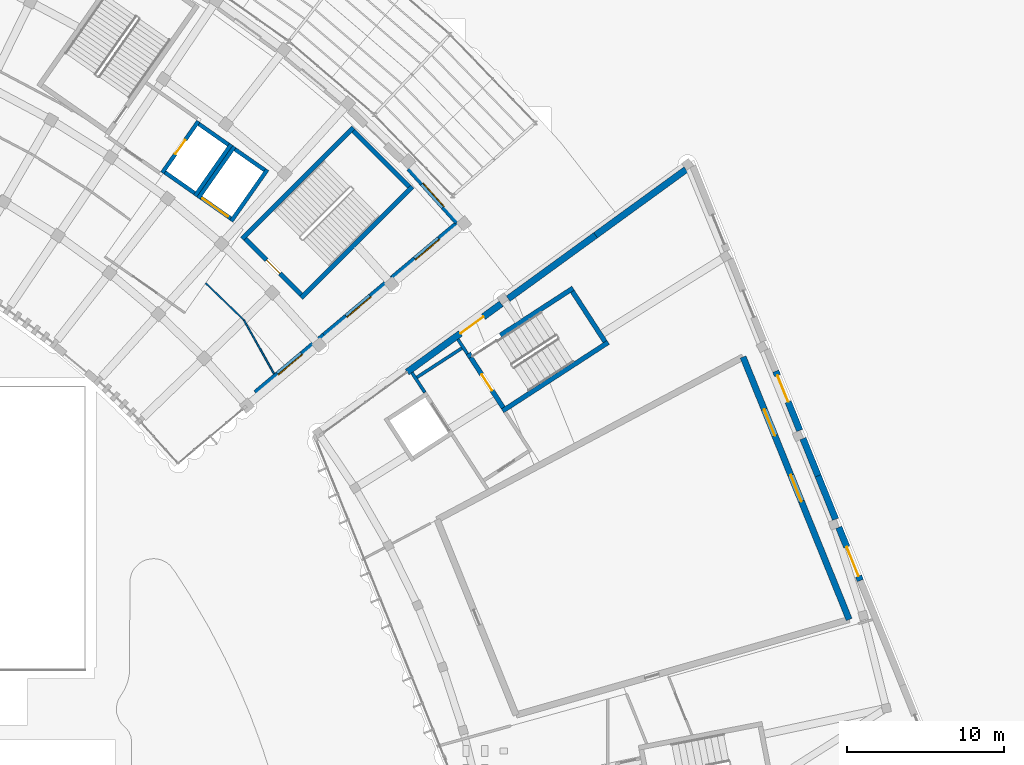
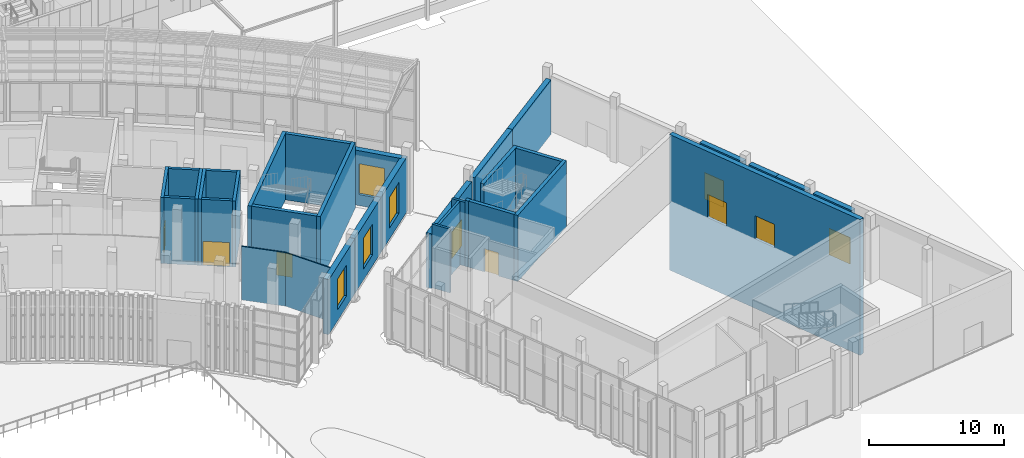
# One storey, part 100 of 155: 34 walls, 9 doors, 4 windows, 13 openings.
"""IFC4 building model written with IfcOpenShell, lengths in metres."""

from ifc_helpers import new_model, si_unit, direction, frame, frame_2d, origin, place, context, subcontext, project, spatial, rectangle, extrude, material, layer, layer_set, type_object, element, fill, save


model = new_model("IFC4")

# Units and contexts
model_context = context("Model", 3, precision=1e-05, world=origin(), true_north=direction((0.0, 1.0)))
body_context = subcontext(model_context, "Body", "Model", "MODEL_VIEW")
ifc_project = project(units=[si_unit("LENGTHUNIT", "METRE"), si_unit("AREAUNIT", "SQUARE_METRE"), si_unit("VOLUMEUNIT", "CUBIC_METRE"), si_unit("PLANEANGLEUNIT", "RADIAN"), si_unit("MASSUNIT", "GRAM", prefix="KILO")], contexts=[model_context])

# Site, building, storey
site_placement = place(None, origin())
site = spatial("IfcSite", under=ifc_project, at=site_placement, CompositionType="ELEMENT")
building_placement = place(site_placement, origin())
building = spatial("IfcBuilding", under=site, at=building_placement, Name="Lunette Opera House", CompositionType="ELEMENT")
storey_placement = place(building_placement, origin())
storey = spatial("IfcBuildingStorey", under=building, at=storey_placement, Name="L00", CompositionType="ELEMENT", Elevation=0.0)

# Wall, opening, window
ifc_material_1 = material(Name="Clinker brick", Category="masonry")
ifc_layer_1 = layer(ifc_material_1, 0.449951171875)
ifc_layer_set_1 = layer_set([ifc_layer_1], Name="Clinker brick")
wall_type_1 = type_object("IfcWallType", Name="ARM END WALL 450", PredefinedType="SOLIDWALL", material=ifc_layer_set_1)
wall_1_placement = place(storey_placement, frame((141.012939453125, 38.06494140625, 0.0), z_axis=(0.0, 0.0, 1.0), x_axis=(0.766076229388, 0.642749726384, 0.0)))
wall_1 = element("IfcWall", 1, at=wall_1_placement, inside=storey, type_object=wall_type_1, Name="Arm End Wall 450 EN-E1 L00", PredefinedType="SOLIDWALL", context=body_context, shape_type="SweptSolid", body=[
    extrude(rectangle(XDim=5.68359375, YDim=0.449951171875, at=frame_2d((2.841796875, 0.0))), origin(), (0.0, 0.0, 1.0), 4.97998046875),
])
opening_1_placement = place(wall_1_placement, frame((1.842041015625, 0.0, 1.0)))
opening_1 = element("IfcOpeningElement", 2, at=opening_1_placement, cuts=wall_1, Name="Opening FC-N2092", PredefinedType="OPENING", context=body_context, shape_type="SweptSolid", body=[
    extrude(rectangle(XDim=2.0, YDim=2.800048828125, at=frame_2d((1.0, 1.39990234375))), frame((0.0, 0.237060546875, 0.0), z_axis=(0.0, -1.0, 0.0), x_axis=(1.0, 0.0, 0.0)), (0.0, 0.0, 1.0), 0.473876953125),
])
ifc_material_2 = material(Name="Aluminium", Category="aluminium")
window_type = type_object("IfcWindowType", Name="ARM WINDOW 2000 X 2800", PartitioningType="DOUBLE_PANEL_VERTICAL", PredefinedType="WINDOW", material=ifc_material_2)
window_1_placement = place(opening_1_placement, origin())
window_1 = element("IfcWindow", 3, at=window_1_placement, inside=storey, type_object=window_type, Name="Arm Window 2000 X 2800 EN-E1 L00", OverallHeight=2.800048828125, OverallWidth=2.0, PartitioningType="DOUBLE_PANEL_VERTICAL", PredefinedType="WINDOW", context=body_context, shape_type="SweptSolid", body=[
    extrude(rectangle(XDim=2.0, YDim=2.800048828125, at=frame_2d((1.0, 1.39990234375))), frame((0.0, 0.030029296875, 0.0), z_axis=(0.0, -1.0, 0.0), x_axis=(1.0, 0.0, 0.0)), (0.0, 0.0, 1.0), 0.06005859375),
])
fill(opening_1, window_1)

wall_2_placement = place(storey_placement, frame((145.366943359375, 41.718017578125, 0.0), z_axis=(0.0, 0.0, 1.0), x_axis=(0.766076229388, 0.642749726384, 0.0)))
wall_2 = element("IfcWall", 4, at=wall_2_placement, inside=storey, type_object=wall_type_1, Name="Arm End Wall 450 EN-E2 L00", PredefinedType="SOLIDWALL", context=body_context, shape_type="SweptSolid", body=[
    extrude(rectangle(XDim=5.68359375, YDim=0.449951171875, at=frame_2d((2.841796875, 0.0))), origin(), (0.0, 0.0, 1.0), 4.97998046875),
])
opening_2_placement = place(wall_2_placement, frame((1.842041015625, 0.0, 1.0)))
opening_2 = element("IfcOpeningElement", 5, at=opening_2_placement, cuts=wall_2, Name="Opening FC-N2093", PredefinedType="OPENING", context=body_context, shape_type="SweptSolid", body=[
    extrude(rectangle(XDim=2.0, YDim=2.800048828125, at=frame_2d((1.0, 1.39990234375))), frame((0.0, 0.237060546875, 0.0), z_axis=(0.0, -1.0, 0.0), x_axis=(1.0, 0.0, 0.0)), (0.0, 0.0, 1.0), 0.473876953125),
])
window_2_placement = place(opening_2_placement, origin())
window_2 = element("IfcWindow", 6, at=window_2_placement, inside=storey, type_object=window_type, Name="Arm Window 2000 X 2800 EN-E2 L00", OverallHeight=2.800048828125, OverallWidth=2.0, PartitioningType="DOUBLE_PANEL_VERTICAL", PredefinedType="WINDOW", context=body_context, shape_type="SweptSolid", body=[
    extrude(rectangle(XDim=2.0, YDim=2.800048828125, at=frame_2d((1.0, 1.39990234375))), frame((0.0, 0.030029296875, 0.0), z_axis=(0.0, -1.0, 0.0), x_axis=(1.0, 0.0, 0.0)), (0.0, 0.0, 1.0), 0.06005859375),
])
fill(opening_2, window_2)

wall_3_placement = place(storey_placement, frame((149.720947265625, 45.37109375, 0.0), z_axis=(0.0, 0.0, 1.0), x_axis=(0.766097380859, 0.642724515668, 0.0)))
wall_3 = element("IfcWall", 7, at=wall_3_placement, inside=storey, type_object=wall_type_1, Name="Arm End Wall 450 EN-E3 L00", PredefinedType="SOLIDWALL", context=body_context, shape_type="SweptSolid", body=[
    extrude(rectangle(XDim=5.683349609375, YDim=0.449951171875, at=frame_2d((2.841796875, 0.0))), origin(), (0.0, 0.0, 1.0), 4.97998046875),
])
opening_3_placement = place(wall_3_placement, frame((1.842041015625, 0.0, 1.0)))
opening_3 = element("IfcOpeningElement", 8, at=opening_3_placement, cuts=wall_3, Name="Opening FC-N2094", PredefinedType="OPENING", context=body_context, shape_type="SweptSolid", body=[
    extrude(rectangle(XDim=2.0, YDim=2.800048828125, at=frame_2d((1.0, 1.39990234375))), frame((0.0, 0.237060546875, 0.0), z_axis=(0.0, -1.0, 0.0), x_axis=(1.0, 0.0, 0.0)), (0.0, 0.0, 1.0), 0.473876953125),
])
window_3_placement = place(opening_3_placement, origin())
window_3 = element("IfcWindow", 9, at=window_3_placement, inside=storey, type_object=window_type, Name="Arm Window 2000 X 2800 EN-E3 L00", OverallHeight=2.800048828125, OverallWidth=2.0, PartitioningType="DOUBLE_PANEL_VERTICAL", PredefinedType="WINDOW", context=body_context, shape_type="SweptSolid", body=[
    extrude(rectangle(XDim=2.0, YDim=2.800048828125, at=frame_2d((1.0, 1.39990234375))), frame((0.0, 0.030029296875, 0.0), z_axis=(0.0, -1.0, 0.0), x_axis=(1.0, 0.0, 0.0)), (0.0, 0.0, 1.0), 0.06005859375),
])
fill(opening_3, window_3)

ifc_material_3 = material(Name="Clinker brick", Category="masonry")
ifc_layer_2 = layer(ifc_material_3, 0.449951171875)
ifc_layer_set_2 = layer_set([ifc_layer_2], Name="Clinker brick")
wall_type_2 = type_object("IfcWallType", Name="ARM RAIN SCREEN WALL 450", PredefinedType="SOLIDWALL", material=ifc_layer_set_2)
wall_4_placement = place(storey_placement, frame((150.741943359375, 52.3779296875, 0.0), z_axis=(0.0, 0.0, 1.0), x_axis=(0.669114598818, -0.74315923842, 0.0)))
wall_4 = element("IfcWall", 10, at=wall_4_placement, inside=storey, type_object=wall_type_2, Name="Arm Rain Screen Wall 450 BW-CE08 L00", PredefinedType="SOLIDWALL", context=body_context, shape_type="SweptSolid", body=[
    extrude(rectangle(XDim=4.589599609375, YDim=0.449951171875, at=frame_2d((2.294921875, 0.0))), origin(), (0.0, 0.0, 1.0), 4.97998046875),
])
opening_4_placement = place(wall_4_placement, frame((1.294921875, 0.0, 1.0)))
opening_4 = element("IfcOpeningElement", 11, at=opening_4_placement, cuts=wall_4, Name="Opening FC-N2172", PredefinedType="OPENING", context=body_context, shape_type="SweptSolid", body=[
    extrude(rectangle(XDim=2.0, YDim=2.800048828125, at=frame_2d((1.0, 1.39990234375))), frame((0.0, 0.237060546875, 0.0), z_axis=(0.0, -1.0, 0.0), x_axis=(1.0, 0.0, 0.0)), (0.0, 0.0, 1.0), 0.473876953125),
])
window_4_placement = place(opening_4_placement, origin())
window_4 = element("IfcWindow", 12, at=window_4_placement, inside=storey, type_object=window_type, Name="Arm Window 2000 X 2800 BW-CE08 L00", OverallHeight=2.800048828125, OverallWidth=2.0, PartitioningType="DOUBLE_PANEL_VERTICAL", PredefinedType="WINDOW", context=body_context, shape_type="SweptSolid", body=[
    extrude(rectangle(XDim=2.0, YDim=2.800048828125, at=frame_2d((1.0, 1.39990234375))), frame((0.0, 0.030029296875, 0.0), z_axis=(0.0, -1.0, 0.0), x_axis=(1.0, 0.0, 0.0)), (0.0, 0.0, 1.0), 0.06005859375),
])
fill(opening_4, window_4)

# Walls
ifc_material_4 = material(Name="Concrete C35/45", Category="concrete")
ifc_layer_3 = layer(ifc_material_4, 0.199951171875)
ifc_layer_set_3 = layer_set([ifc_layer_3], Name="Concrete C35/45")
wall_type_3 = type_object("IfcWallType", Name="LOBBY WALL 200", PredefinedType="PARTITIONING", material=ifc_layer_set_3)
wall_5_placement = place(storey_placement, frame((150.906982421875, 39.385986328125, 0.0), z_axis=(0.0, 0.0, 1.0), x_axis=(0.54445901867, -0.838787444463, 0.0)))
element("IfcWall", 13, at=wall_5_placement, inside=storey, type_object=wall_type_3, Name="LL-ST lobby wall 1a", PredefinedType="PARTITIONING", context=body_context, shape_type="SweptSolid", body=[
    extrude(rectangle(XDim=1.508056640625, YDim=0.199951171875, at=frame_2d((0.75390625, 0.0))), origin(), (0.0, 0.0, 1.0), 5.780029296875),
])
wall_6_placement = place(storey_placement, frame((154.43798828125, 40.56103515625, 0.0), z_axis=(0.0, 0.0, 1.0), x_axis=(-0.545308400226, 0.838235497127, 0.0)))
element("IfcWall", 14, at=wall_6_placement, inside=storey, type_object=wall_type_3, Name="LL-ST lobby wall 3b", PredefinedType="PARTITIONING", context=body_context, shape_type="SweptSolid", body=[
    extrude(rectangle(XDim=1.1259765625, YDim=0.199951171875, at=frame_2d((0.56298828125, 0.0))), origin(), (0.0, 0.0, 1.0), 5.780029296875),
])
wall_7_placement = place(storey_placement, frame((154.075927734375, 40.93408203125, 0.0), z_axis=(0.0, 0.0, 1.0), x_axis=(-0.838661716351, -0.544652665032, 0.0)))
element("IfcWall", 15, at=wall_7_placement, inside=storey, type_object=wall_type_3, Name="LL-ST lobby wall 4a", PredefinedType="PARTITIONING", context=body_context, shape_type="SweptSolid", body=[
    extrude(rectangle(XDim=3.400390625, YDim=0.199951171875, at=frame_2d((1.7001953125, 0.0))), origin(), (0.0, 0.0, 1.0), 5.780029296875),
])
ifc_material_5 = material(Name="Concrete C35/45", Category="concrete")
ifc_layer_4 = layer(ifc_material_5, 0.25)
ifc_layer_set_4 = layer_set([ifc_layer_4], Name="Concrete C35/45")
wall_type_4 = type_object("IfcWallType", Name="RC LIFT SHAFT WALL 250", PredefinedType="SOLIDWALL", material=ifc_layer_set_4)
wall_8_placement = place(storey_placement, frame((135.22509765625, 52.097900390625, 0.0), z_axis=(0.0, 0.0, 1.0), x_axis=(0.819366508838, -0.573270027295, 0.0)))
element("IfcWall", 16, at=wall_8_placement, inside=storey, type_object=wall_type_4, Name="FL1 shaft wall 1", PredefinedType="SOLIDWALL", context=body_context, shape_type="SweptSolid", body=[
    extrude(rectangle(XDim=2.300537109375, YDim=0.25, at=frame_2d((1.150390625, 0.0))), origin(), (0.0, 0.0, 1.0), 6.0),
])
wall_9_placement = place(storey_placement, frame((137.14111328125, 50.60498046875, 0.0), z_axis=(0.0, 0.0, 1.0), x_axis=(0.573572956461, 0.819154480923, 0.0)))
element("IfcWall", 17, at=wall_9_placement, inside=storey, type_object=wall_type_4, Name="FL1 shaft wall 2", PredefinedType="SOLIDWALL", context=body_context, shape_type="SweptSolid", body=[
    extrude(rectangle(XDim=3.99951171875, YDim=0.25, at=frame_2d((1.999755859375, 0.0))), origin(), (0.0, 0.0, 1.0), 6.0),
])
wall_10_placement = place(storey_placement, frame((139.260986328125, 53.85009765625, 0.0), z_axis=(0.0, 0.0, 1.0), x_axis=(-0.819226933165, 0.573469469089, 0.0)))
element("IfcWall", 18, at=wall_10_placement, inside=storey, type_object=wall_type_4, Name="FL1 shaft wall 3", PredefinedType="SOLIDWALL", context=body_context, shape_type="SweptSolid", body=[
    extrude(rectangle(XDim=2.2998046875, YDim=0.25, at=frame_2d((1.14990234375, 0.0))), origin(), (0.0, 0.0, 1.0), 6.0),
])

# Wall, opening, door
wall_11_placement = place(storey_placement, frame((137.345947265625, 55.343017578125, 0.0), z_axis=(0.0, 0.0, 1.0), x_axis=(-0.573736768582, -0.819039755065, 0.0)))
wall_11 = element("IfcWall", 19, at=wall_11_placement, inside=storey, type_object=wall_type_4, Name="FL1 shaft wall 4", PredefinedType="SOLIDWALL", context=body_context, shape_type="SweptSolid", body=[
    extrude(rectangle(XDim=4.0, YDim=0.25, at=frame_2d((2.0, 0.0))), origin(), (0.0, 0.0, 1.0), 6.0),
])
opening_5_placement = place(wall_11_placement, frame((1.449951171875, 0.0, 0.0)))
opening_5 = element("IfcOpeningElement", 20, at=opening_5_placement, cuts=wall_11, Name="Opening FC-LD002", PredefinedType="OPENING", context=body_context, shape_type="SweptSolid", body=[
    extrude(rectangle(XDim=1.10009765625, YDim=2.10009765625, at=frame_2d((0.550048828125, 1.050048828125))), frame((0.0, 0.136962890625, 0.0), z_axis=(0.0, -1.0, 0.0), x_axis=(1.0, 0.0, 0.0)), (0.0, 0.0, 1.0), 0.27392578125),
])
ifc_material_6 = material(Name="Stainless steel", Category="steel")
door_type_1 = type_object("IfcDoorType", Name="LIFT LANDING DOOR 1100 X 2100", OperationType="DOUBLE_DOOR_SLIDING", PredefinedType="DOOR", material=ifc_material_6)
door_1_placement = place(opening_5_placement, origin())
door_1 = element("IfcDoor", 21, at=door_1_placement, inside=storey, type_object=door_type_1, Name="FL1 lift landing door", OperationType="DOUBLE_DOOR_SLIDING", OverallHeight=2.10009765625, OverallWidth=1.10009765625, PredefinedType="DOOR", context=body_context, shape_type="SweptSolid", body=[
    extrude(rectangle(XDim=1.10009765625, YDim=2.10009765625, at=frame_2d((0.550048828125, 1.050048828125))), frame((0.0, 0.02490234375, 0.0), z_axis=(0.0, -1.0, 0.0), x_axis=(1.0, 0.0, 0.0)), (0.0, 0.0, 1.0), 0.050048828125),
])
fill(opening_5, door_1)

wall_12_placement = place(storey_placement, frame((137.51904296875, 50.491943359375, 0.0), z_axis=(0.0, 0.0, 1.0), x_axis=(0.819366508838, -0.573270027295, 0.0)))
wall_12 = element("IfcWall", 22, at=wall_12_placement, inside=storey, type_object=wall_type_4, Name="LF2 shaft wall 1", PredefinedType="SOLIDWALL", context=body_context, shape_type="SweptSolid", body=[
    extrude(rectangle(XDim=2.300537109375, YDim=0.25, at=frame_2d((1.150390625, 0.0))), origin(), (0.0, 0.0, 1.0), 6.0),
])
opening_6_placement = place(wall_12_placement, frame((0.10009765625, 0.0, 0.0)))
opening_6 = element("IfcOpeningElement", 23, at=opening_6_placement, cuts=wall_12, Name="Opening FC-LD020", PredefinedType="OPENING", context=body_context, shape_type="SweptSolid", body=[
    extrude(rectangle(XDim=2.0, YDim=2.199951171875, at=frame_2d((1.0, 1.10009765625))), frame((0.0, 0.136962890625, 0.0), z_axis=(0.0, -1.0, 0.0), x_axis=(1.0, 0.0, 0.0)), (0.0, 0.0, 1.0), 0.27392578125),
])
ifc_material_7 = material(Name="Stainless steel", Category="steel")
door_type_2 = type_object("IfcDoorType", Name="LIFT LANDING DOOR 2000 X 2200", OperationType="DOUBLE_DOOR_SLIDING", PredefinedType="DOOR", material=ifc_material_7)
door_2_placement = place(opening_6_placement, origin())
door_2 = element("IfcDoor", 24, at=door_2_placement, inside=storey, type_object=door_type_2, Name="LF2 lift landing door", OperationType="DOUBLE_DOOR_SLIDING", OverallHeight=2.199951171875, OverallWidth=2.0, PredefinedType="DOOR", context=body_context, shape_type="SweptSolid", body=[
    extrude(rectangle(XDim=2.0, YDim=2.199951171875, at=frame_2d((1.0, 1.10009765625))), frame((0.0, 0.02490234375, 0.0), z_axis=(0.0, -1.0, 0.0), x_axis=(1.0, 0.0, 0.0)), (0.0, 0.0, 1.0), 0.050048828125),
])
fill(opening_6, door_2)

# Walls
wall_13_placement = place(storey_placement, frame((139.43505859375, 48.9990234375, 0.0), z_axis=(0.0, 0.0, 1.0), x_axis=(0.57360163893, 0.819134396675, 0.0)))
element("IfcWall", 25, at=wall_13_placement, inside=storey, type_object=wall_type_4, Name="LF2 shaft wall 2", PredefinedType="SOLIDWALL", context=body_context, shape_type="SweptSolid", body=[
    extrude(rectangle(XDim=3.999267578125, YDim=0.25, at=frame_2d((1.99951171875, 0.0))), origin(), (0.0, 0.0, 1.0), 6.0),
])
wall_14_placement = place(storey_placement, frame((141.554931640625, 52.243896484375, 0.0), z_axis=(0.0, 0.0, 1.0), x_axis=(-0.819316661421, 0.57334126689, 0.0)))
element("IfcWall", 26, at=wall_14_placement, inside=storey, type_object=wall_type_4, Name="LF2 shaft wall 3", PredefinedType="SOLIDWALL", context=body_context, shape_type="SweptSolid", body=[
    extrude(rectangle(XDim=2.30078125, YDim=0.25, at=frame_2d((1.150390625, 0.0))), origin(), (0.0, 0.0, 1.0), 6.0),
])
wall_15_placement = place(storey_placement, frame((139.638916015625, 53.737060546875, 0.0), z_axis=(0.0, 0.0, 1.0), x_axis=(-0.573572956461, -0.819154480923, 0.0)))
element("IfcWall", 27, at=wall_15_placement, inside=storey, type_object=wall_type_4, Name="LF2 shaft wall 4", PredefinedType="SOLIDWALL", context=body_context, shape_type="SweptSolid", body=[
    extrude(rectangle(XDim=3.99951171875, YDim=0.25, at=frame_2d((1.999755859375, 0.0))), origin(), (0.0, 0.0, 1.0), 6.0),
])

# Wall, opening, door
ifc_material_8 = material(Name="Concrete C35/45", Category="concrete")
ifc_layer_5 = layer(ifc_material_8, 0.300048828125)
ifc_layer_set_5 = layer_set([ifc_layer_5], Name="Concrete C35/45")
wall_type_5 = type_object("IfcWallType", Name="RC STAIR ENCLOSURE WALL 300", PredefinedType="SOLIDWALL", material=ifc_layer_set_5)
wall_16_placement = place(storey_placement, frame((154.635986328125, 40.343994140625, 0.0), z_axis=(0.0, 0.0, 1.0), x_axis=(0.544712834543, -0.838622637355, 0.0)))
wall_16 = element("IfcWall", 28, at=wall_16_placement, inside=storey, type_object=wall_type_5, Name="ST21 enclosure wall 1", PredefinedType="SOLIDWALL", context=body_context, shape_type="SweptSolid", body=[
    extrude(rectangle(XDim=3.80029296875, YDim=0.300048828125, at=frame_2d((1.900146484375, 0.0))), origin(), (0.0, 0.0, 1.0), 6.0),
])
opening_7_placement = place(wall_16_placement, frame((1.300048828125, 0.0, 0.0)))
opening_7 = element("IfcOpeningElement", 29, at=opening_7_placement, cuts=wall_16, Name="Opening SB-D7002", PredefinedType="OPENING", context=body_context, shape_type="SweptSolid", body=[
    extrude(rectangle(XDim=1.199951171875, YDim=2.10009765625, at=frame_2d((0.60009765625, 1.050048828125))), frame((0.0, 0.162109375, 0.0), z_axis=(0.0, -1.0, 0.0), x_axis=(1.0, 0.0, 0.0)), (0.0, 0.0, 1.0), 0.323974609375),
])
ifc_material_9 = material(Name="Steel", Category="steel")
door_type_3 = type_object("IfcDoorType", Name="FIRE DOOR 1200 X 2100", OperationType="SINGLE_SWING_LEFT", PredefinedType="DOOR", material=ifc_material_9)
door_3_placement = place(opening_7_placement, origin())
door_3 = element("IfcDoor", 30, at=door_3_placement, inside=storey, type_object=door_type_3, Name="ST21 stair door", OperationType="SINGLE_SWING_LEFT", OverallHeight=2.10009765625, OverallWidth=1.199951171875, PredefinedType="DOOR", context=body_context, shape_type="SweptSolid", body=[
    extrude(rectangle(XDim=1.199951171875, YDim=2.10009765625, at=frame_2d((0.60009765625, 1.050048828125))), frame((0.0, 0.02490234375, 0.0), z_axis=(0.0, -1.0, 0.0), x_axis=(1.0, 0.0, 0.0)), (0.0, 0.0, 1.0), 0.050048828125),
])
fill(opening_7, door_3)

# Walls
wall_17_placement = place(storey_placement, frame((156.662109375, 36.949951171875, 0.0), z_axis=(0.0, 0.0, 1.0), x_axis=(0.838666673849, 0.544645031351, 0.0)))
element("IfcWall", 31, at=wall_17_placement, inside=storey, type_object=wall_type_5, Name="ST21 enclosure wall 2", PredefinedType="SOLIDWALL", context=body_context, shape_type="SweptSolid", body=[
    extrude(rectangle(XDim=7.99951171875, YDim=0.300048828125, at=frame_2d((3.999755859375, 0.0))), origin(), (0.0, 0.0, 1.0), 6.0),
])
wall_18_placement = place(storey_placement, frame((163.1640625, 41.35107421875, 0.0), z_axis=(0.0, 0.0, 1.0), x_axis=(-0.544414712312, 0.838816202167, 0.0)))
element("IfcWall", 32, at=wall_18_placement, inside=storey, type_object=wall_type_5, Name="ST21 enclosure wall 3", PredefinedType="SOLIDWALL", context=body_context, shape_type="SweptSolid", body=[
    extrude(rectangle(XDim=3.800537109375, YDim=0.300048828125, at=frame_2d((1.900390625, 0.0))), origin(), (0.0, 0.0, 1.0), 6.0),
])

# Wall, opening, door
wall_19_placement = place(storey_placement, frame((140.3349609375, 47.87109375, 0.0), z_axis=(0.0, 0.0, 1.0), x_axis=(0.707106781187, -0.707106781187, 0.0)))
wall_19 = element("IfcWall", 33, at=wall_19_placement, inside=storey, type_object=wall_type_5, Name="ST4 enclosure wall 1", PredefinedType="SOLIDWALL", context=body_context, shape_type="SweptSolid", body=[
    extrude(rectangle(XDim=5.000732421875, YDim=0.300048828125, at=frame_2d((2.50048828125, 0.0))), origin(), (0.0, 0.0, 1.0), 6.0),
])
opening_8_placement = place(wall_19_placement, frame((1.89990234375, 0.0, 0.0)))
opening_8 = element("IfcOpeningElement", 34, at=opening_8_placement, cuts=wall_19, Name="Opening FC-D7026", PredefinedType="OPENING", context=body_context, shape_type="SweptSolid", body=[
    extrude(rectangle(XDim=1.199951171875, YDim=2.10009765625, at=frame_2d((0.60009765625, 1.050048828125))), frame((0.0, 0.162109375, 0.0), z_axis=(0.0, -1.0, 0.0), x_axis=(1.0, 0.0, 0.0)), (0.0, 0.0, 1.0), 0.323974609375),
])
door_4_placement = place(opening_8_placement, origin())
door_4 = element("IfcDoor", 35, at=door_4_placement, inside=storey, type_object=door_type_3, Name="ST4 stair door", OperationType="SINGLE_SWING_LEFT", OverallHeight=2.10009765625, OverallWidth=1.199951171875, PredefinedType="DOOR", context=body_context, shape_type="SweptSolid", body=[
    extrude(rectangle(XDim=1.199951171875, YDim=2.10009765625, at=frame_2d((0.60009765625, 1.050048828125))), frame((0.0, 0.02490234375, 0.0), z_axis=(0.0, -1.0, 0.0), x_axis=(1.0, 0.0, 0.0)), (0.0, 0.0, 1.0), 0.050048828125),
])
fill(opening_8, door_4)

# Walls
wall_20_placement = place(storey_placement, frame((143.87109375, 44.123046875, 0.0), z_axis=(0.0, 0.0, 1.0), x_axis=(0.7070945738, 0.707118988363, 0.0)))
element("IfcWall", 36, at=wall_20_placement, inside=storey, type_object=wall_type_5, Name="ST4 enclosure wall 2", PredefinedType="SOLIDWALL", context=body_context, shape_type="SweptSolid", body=[
    extrude(rectangle(XDim=9.999755859375, YDim=0.300048828125, at=frame_2d((5.0, 0.0))), origin(), (0.0, 0.0, 1.0), 6.0),
])
wall_21_placement = place(storey_placement, frame((150.72998046875, 51.194091796875, 0.0), z_axis=(0.0, 0.0, 1.0), x_axis=(-0.707106781187, 0.707106781187, 0.0)))
element("IfcWall", 37, at=wall_21_placement, inside=storey, type_object=wall_type_5, Name="ST4 enclosure wall 3", PredefinedType="SOLIDWALL", context=body_context, shape_type="SweptSolid", body=[
    extrude(rectangle(XDim=5.00048828125, YDim=0.300048828125, at=frame_2d((2.500244140625, 0.0))), origin(), (0.0, 0.0, 1.0), 6.0),
])
wall_22_placement = place(storey_placement, frame((147.194091796875, 54.94189453125, 0.0), z_axis=(0.0, 0.0, 1.0), x_axis=(-0.707118988363, -0.7070945738, 0.0)))
element("IfcWall", 38, at=wall_22_placement, inside=storey, type_object=wall_type_5, Name="ST4 enclosure wall 4", PredefinedType="SOLIDWALL", context=body_context, shape_type="SweptSolid", body=[
    extrude(rectangle(XDim=9.999755859375, YDim=0.300048828125, at=frame_2d((5.0, 0.0))), origin(), (0.0, 0.0, 1.0), 6.0),
])
wall_23_placement = place(storey_placement, frame((161.138916015625, 44.74609375, 0.0), z_axis=(0.0, 0.0, 1.0), x_axis=(-0.838689751227, -0.544609494213, 0.0)))
element("IfcWall", 39, at=wall_23_placement, inside=storey, type_object=wall_type_5, Name="ST21 enclosure wall 4 a", PredefinedType="SOLIDWALL", context=body_context, shape_type="SweptSolid", body=[
    extrude(rectangle(XDim=5.5048828125, YDim=0.300048828125, at=frame_2d((2.75244140625, 0.0))), origin(), (0.0, 0.0, 1.0), 6.0),
])
wall_24_placement = place(storey_placement, frame((154.7119140625, 40.572021484375, 0.0), z_axis=(0.0, 0.0, 1.0), x_axis=(-0.838228741639, -0.545318784466, 0.0)))
element("IfcWall", 40, at=wall_24_placement, inside=storey, type_object=wall_type_5, Name="ST21 enclosure wall 4 b", PredefinedType="SOLIDWALL", context=body_context, shape_type="SweptSolid", body=[
    extrude(rectangle(XDim=0.337646484375, YDim=0.300048828125, at=frame_2d((0.1689453125, 0.0))), origin(), (0.0, 0.0, 1.0), 6.0),
])

# Wall, openings, doors
ifc_material_10 = material(Name="Concrete C35/45", Category="concrete")
ifc_layer_6 = layer(ifc_material_10, 0.39990234375)
ifc_layer_set_6 = layer_set([ifc_layer_6], Name="Concrete C35/45")
wall_type_6 = type_object("IfcWallType", Name="RC WALL 400", PredefinedType="SHEAR", material=ifc_layer_set_6)
wall_25_placement = place(storey_placement, frame((178.6689453125, 23.705078125, -6.300048828125), z_axis=(0.0, 0.0, 1.0), x_axis=(-0.374642655757, 0.92716928362, 0.0)))
wall_25 = element("IfcWall", 41, at=wall_25_placement, inside=storey, type_object=wall_type_6, Name="wall-SB-L00-HW4", PredefinedType="SHEAR", context=body_context, shape_type="SweptSolid", body=[
    extrude(rectangle(XDim=17.9794921875, YDim=0.39990234375, at=frame_2d((8.98974609375, 0.0))), origin(), (0.0, 0.0, 1.0), 12.300048828125),
])
opening_9_placement = place(wall_25_placement, frame((8.090087890625, 0.0, 6.300048828125)))
opening_9 = element("IfcOpeningElement", 42, at=opening_9_placement, cuts=wall_25, Name="Opening SB-D3005", PredefinedType="OPENING", context=body_context, shape_type="SweptSolid", body=[
    extrude(rectangle(XDim=1.800048828125, YDim=2.10009765625, at=frame_2d((0.89990234375, 1.050048828125))), frame((0.0, 0.2119140625, 0.0), z_axis=(0.0, -1.0, 0.0), x_axis=(1.0, 0.0, 0.0)), (0.0, 0.0, 1.0), 0.423828125),
])
opening_10_placement = place(wall_25_placement, frame((12.590087890625, 0.0, 6.300048828125)))
opening_10 = element("IfcOpeningElement", 43, at=opening_10_placement, cuts=wall_25, Name="Opening SB-D3006", PredefinedType="OPENING", context=body_context, shape_type="SweptSolid", body=[
    extrude(rectangle(XDim=1.800048828125, YDim=2.10009765625, at=frame_2d((0.89990234375, 1.050048828125))), frame((0.0, 0.2119140625, 0.0), z_axis=(0.0, -1.0, 0.0), x_axis=(1.0, 0.0, 0.0)), (0.0, 0.0, 1.0), 0.423828125),
])
ifc_material_11 = material(Name="Timber", Category="wood")
door_type_4 = type_object("IfcDoorType", Name="SOUND LOCK DOOR 1800 X 2100", OperationType="DOUBLE_DOOR_SINGLE_SWING", PredefinedType="DOOR", material=ifc_material_11)
door_5_placement = place(opening_9_placement, origin())
door_5 = element("IfcDoor", 44, at=door_5_placement, inside=storey, type_object=door_type_4, Name="Studio Theatre door", OperationType="DOUBLE_DOOR_SINGLE_SWING", OverallHeight=2.10009765625, OverallWidth=1.800048828125, PredefinedType="DOOR", context=body_context, shape_type="SweptSolid", body=[
    extrude(rectangle(XDim=1.800048828125, YDim=2.10009765625, at=frame_2d((0.89990234375, 1.050048828125))), frame((0.0, 0.02490234375, 0.0), z_axis=(0.0, -1.0, 0.0), x_axis=(1.0, 0.0, 0.0)), (0.0, 0.0, 1.0), 0.050048828125),
])
fill(opening_9, door_5)
door_6_placement = place(opening_10_placement, origin())
door_6 = element("IfcDoor", 45, at=door_6_placement, inside=storey, type_object=door_type_4, Name="Studio Theatre door", OperationType="DOUBLE_DOOR_SINGLE_SWING", OverallHeight=2.10009765625, OverallWidth=1.800048828125, PredefinedType="DOOR", context=body_context, shape_type="SweptSolid", body=[
    extrude(rectangle(XDim=1.800048828125, YDim=2.10009765625, at=frame_2d((0.89990234375, 1.050048828125))), frame((0.0, 0.02490234375, 0.0), z_axis=(0.0, -1.0, 0.0), x_axis=(1.0, 0.0, 0.0)), (0.0, 0.0, 1.0), 0.050048828125),
])
fill(opening_10, door_6)

# Walls
ifc_material_12 = material(Name="Gypsum board on steel studs", Category="steel")
ifc_layer_7 = layer(ifc_material_12, 0.10009765625)
ifc_layer_set_7 = layer_set([ifc_layer_7], Name="Gypsum board on steel studs")
wall_type_7 = type_object("IfcWallType", Name="STUD PARTITION 100", PredefinedType="PARTITIONING", material=ifc_layer_set_7)
wall_26_placement = place(storey_placement, frame((140.239013671875, 42.720947265625, 0.0), z_axis=(0.0, 0.0, 1.0), x_axis=(0.488780296496, -0.872406912946, 0.0)))
element("IfcWall", 46, at=wall_26_placement, inside=storey, type_object=wall_type_7, Name="Partition Main Foyer Rear", PredefinedType="PARTITIONING", context=body_context, shape_type="SweptSolid", body=[
    extrude(rectangle(XDim=3.907470703125, YDim=0.10009765625, at=frame_2d((1.95361328125, 0.0))), origin(), (0.0, 0.0, 1.0), 4.8798828125),
])
wall_27_placement = place(storey_placement, frame((137.81103515625, 45.06689453125, 0.0), z_axis=(0.0, 0.0, 1.0), x_axis=(0.719150966755, -0.694853860186, 0.0)))
element("IfcWall", 47, at=wall_27_placement, inside=storey, type_object=wall_type_7, Name="Partition Main Foyer Rear", PredefinedType="PARTITIONING", context=body_context, shape_type="SweptSolid", body=[
    extrude(rectangle(XDim=3.376220703125, YDim=0.10009765625, at=frame_2d((1.68798828125, 0.0))), origin(), (0.0, 0.0, 1.0), 4.8798828125),
])

# Wall, opening, door
ifc_material_13 = material(Name="Clinker brick", Category="masonry")
ifc_layer_8 = layer(ifc_material_13, 0.419921875)
ifc_layer_set_8 = layer_set([ifc_layer_8], Name="Clinker brick")
wall_type_8 = type_object("IfcWallType", Name="STUDIO BRICK WALL 420", PredefinedType="SOLIDWALL", material=ifc_layer_set_8)
wall_28_placement = place(storey_placement, frame((179.3798828125, 26.18310546875, 0.0), z_axis=(0.0, 0.0, 1.0), x_axis=(-0.374418687249, 0.927259751439, 0.0)))
wall_28 = element("IfcWall", 48, at=wall_28_placement, inside=storey, type_object=wall_type_8, Name="Studio Brick Wall 420 F11-1 L00", PredefinedType="SOLIDWALL", context=body_context, shape_type="SweptSolid", body=[
    extrude(rectangle(XDim=3.6396484375, YDim=0.419921875, at=frame_2d((1.81982421875, 0.0))), origin(), (0.0, 0.0, 1.0), 5.080078125),
])
opening_11_placement = place(wall_28_placement, frame((0.300048828125, 0.0, 0.0)))
opening_11 = element("IfcOpeningElement", 49, at=opening_11_placement, cuts=wall_28, Name="Opening SB-D2003", PredefinedType="OPENING", context=body_context, shape_type="SweptSolid", body=[
    extrude(rectangle(XDim=2.0, YDim=2.39990234375, at=frame_2d((1.0, 1.199951171875))), frame((0.0, 0.221923828125, 0.0), z_axis=(0.0, -1.0, 0.0), x_axis=(1.0, 0.0, 0.0)), (0.0, 0.0, 1.0), 0.44384765625),
])
ifc_material_14 = material(Name="Aluminium", Category="aluminium")
door_type_5 = type_object("IfcDoorType", Name="ENTRANCE DOUBLE DOOR 2000 X 2400", OperationType="DOUBLE_DOOR_DOUBLE_SWING", PredefinedType="DOOR", material=ifc_material_14)
door_7_placement = place(opening_11_placement, origin())
door_7 = element("IfcDoor", 50, at=door_7_placement, inside=storey, type_object=door_type_5, Name="Entrance Double Door 2000 X 2400 SBD3 L00", OperationType="DOUBLE_DOOR_DOUBLE_SWING", OverallHeight=2.39990234375, OverallWidth=2.0, PredefinedType="DOOR", context=body_context, shape_type="SweptSolid", body=[
    extrude(rectangle(XDim=2.0, YDim=2.39990234375, at=frame_2d((1.0, 1.199951171875))), frame((0.0, 0.02490234375, 0.0), z_axis=(0.0, -1.0, 0.0), x_axis=(1.0, 0.0, 0.0)), (0.0, 0.0, 1.0), 0.050048828125),
])
fill(opening_11, door_7)

# Walls
wall_29_placement = place(storey_placement, frame((177.806884765625, 30.075927734375, 0.0), z_axis=(0.0, 0.0, 1.0), x_axis=(-0.374336649646, 0.927292873224, 0.0)))
element("IfcWall", 51, at=wall_29_placement, inside=storey, type_object=wall_type_8, Name="Studio Brick Wall 420 F11-2 L00", PredefinedType="SOLIDWALL", context=body_context, shape_type="SweptSolid", body=[
    extrude(rectangle(XDim=2.97021484375, YDim=0.419921875, at=frame_2d((1.485107421875, 0.0))), origin(), (0.0, 0.0, 1.0), 5.080078125),
])
wall_30_placement = place(storey_placement, frame((176.695068359375, 32.830078125, 0.0), z_axis=(0.0, 0.0, 1.0), x_axis=(-0.374724358983, 0.927136265489, 0.0)))
element("IfcWall", 52, at=wall_30_placement, inside=storey, type_object=wall_type_8, Name="Studio Brick Wall 420 F12-1 L00", PredefinedType="SOLIDWALL", context=body_context, shape_type="SweptSolid", body=[
    extrude(rectangle(XDim=2.548828125, YDim=0.419921875, at=frame_2d((1.2744140625, 0.0))), origin(), (0.0, 0.0, 1.0), 5.080078125),
])

# Wall, opening, door
wall_31_placement = place(storey_placement, frame((175.531005859375, 35.7119140625, 0.0), z_axis=(0.0, 0.0, 1.0), x_axis=(-0.374644003401, 0.927168739074, 0.0)))
wall_31 = element("IfcWall", 53, at=wall_31_placement, inside=storey, type_object=wall_type_8, Name="Studio Brick Wall 420 F12-2 L00", PredefinedType="SOLIDWALL", context=body_context, shape_type="SweptSolid", body=[
    extrude(rectangle(XDim=4.059814453125, YDim=0.419921875, at=frame_2d((2.02978515625, 0.0))), origin(), (0.0, 0.0, 1.0), 5.080078125),
])
opening_12_placement = place(wall_31_placement, frame((1.9599609375, 0.0, 0.0)))
opening_12 = element("IfcOpeningElement", 54, at=opening_12_placement, cuts=wall_31, Name="Opening SB-D2002", PredefinedType="OPENING", context=body_context, shape_type="SweptSolid", body=[
    extrude(rectangle(XDim=1.800048828125, YDim=2.39990234375, at=frame_2d((0.89990234375, 1.199951171875))), frame((0.0, 0.221923828125, 0.0), z_axis=(0.0, -1.0, 0.0), x_axis=(1.0, 0.0, 0.0)), (0.0, 0.0, 1.0), 0.44384765625),
])
ifc_material_15 = material(Name="Powder-coated steel", Category="steel")
door_type_6 = type_object("IfcDoorType", Name="EXIT DOUBLE DOOR 1800 X 2400", OperationType="DOUBLE_DOOR_DOUBLE_SWING", PredefinedType="DOOR", material=ifc_material_15)
door_8_placement = place(opening_12_placement, origin())
door_8 = element("IfcDoor", 55, at=door_8_placement, inside=storey, type_object=door_type_6, Name="Exit Double Door 1800 X 2400 SBD2 L00", OperationType="DOUBLE_DOOR_DOUBLE_SWING", OverallHeight=2.39990234375, OverallWidth=1.800048828125, PredefinedType="DOOR", context=body_context, shape_type="SweptSolid", body=[
    extrude(rectangle(XDim=1.800048828125, YDim=2.39990234375, at=frame_2d((0.89990234375, 1.199951171875))), frame((0.0, 0.02490234375, 0.0), z_axis=(0.0, -1.0, 0.0), x_axis=(1.0, 0.0, 0.0)), (0.0, 0.0, 1.0), 0.050048828125),
])
fill(opening_12, door_8)

# Walls
wall_32_placement = place(storey_placement, frame((168.30810546875, 52.27490234375, 0.0), z_axis=(0.0, 0.0, 1.0), x_axis=(-0.809045488559, -0.587746031414, 0.0)))
element("IfcWall", 56, at=wall_32_placement, inside=storey, type_object=wall_type_8, Name="Studio Brick Wall 420 F15 L00", PredefinedType="SOLIDWALL", context=body_context, shape_type="SweptSolid", body=[
    extrude(rectangle(XDim=7.0947265625, YDim=0.419921875, at=frame_2d((3.54736328125, 0.0))), origin(), (0.0, 0.0, 1.0), 4.97998046875),
])
wall_33_placement = place(storey_placement, frame((162.568115234375, 48.10498046875, 0.0), z_axis=(0.0, 0.0, 1.0), x_axis=(-0.809048605298, -0.587741741129, 0.0)))
element("IfcWall", 57, at=wall_33_placement, inside=storey, type_object=wall_type_8, Name="Studio Brick Wall 420 F16 L00", PredefinedType="SOLIDWALL", context=body_context, shape_type="SweptSolid", body=[
    extrude(rectangle(XDim=6.855224609375, YDim=0.419921875, at=frame_2d((3.427734375, 0.0))), origin(), (0.0, 0.0, 1.0), 4.97998046875),
])

# Wall, opening, door
wall_34_placement = place(storey_placement, frame((156.576904296875, 43.751953125, 0.0), z_axis=(0.0, 0.0, 1.0), x_axis=(-0.809050732127, -0.587738813458, 0.0)))
wall_34 = element("IfcWall", 58, at=wall_34_placement, inside=storey, type_object=wall_type_8, Name="Studio Brick Wall 420 F17 L00", PredefinedType="SOLIDWALL", context=body_context, shape_type="SweptSolid", body=[
    extrude(rectangle(XDim=7.37890625, YDim=0.419921875, at=frame_2d((3.689453125, 0.0))), origin(), (0.0, 0.0, 1.0), 4.97998046875),
])
opening_13_placement = place(wall_34_placement, frame((1.39990234375, 0.0, 0.0)))
opening_13 = element("IfcOpeningElement", 59, at=opening_13_placement, cuts=wall_34, Name="Opening SB-D2009", PredefinedType="OPENING", context=body_context, shape_type="SweptSolid", body=[
    extrude(rectangle(XDim=1.800048828125, YDim=2.39990234375, at=frame_2d((0.89990234375, 1.199951171875))), frame((0.0, 0.221923828125, 0.0), z_axis=(0.0, -1.0, 0.0), x_axis=(1.0, 0.0, 0.0)), (0.0, 0.0, 1.0), 0.44384765625),
])
door_9_placement = place(opening_13_placement, origin())
door_9 = element("IfcDoor", 60, at=door_9_placement, inside=storey, type_object=door_type_6, Name="Exit Double Door 1800 X 2400 ST21XE L00", OperationType="DOUBLE_DOOR_DOUBLE_SWING", OverallHeight=2.39990234375, OverallWidth=1.800048828125, PredefinedType="DOOR", context=body_context, shape_type="SweptSolid", body=[
    extrude(rectangle(XDim=1.800048828125, YDim=2.39990234375, at=frame_2d((0.89990234375, 1.199951171875))), frame((0.0, 0.02490234375, 0.0), z_axis=(0.0, -1.0, 0.0), x_axis=(1.0, 0.0, 0.0)), (0.0, 0.0, 1.0), 0.050048828125),
])
fill(opening_13, door_9)

save(model, "model.ifc")
